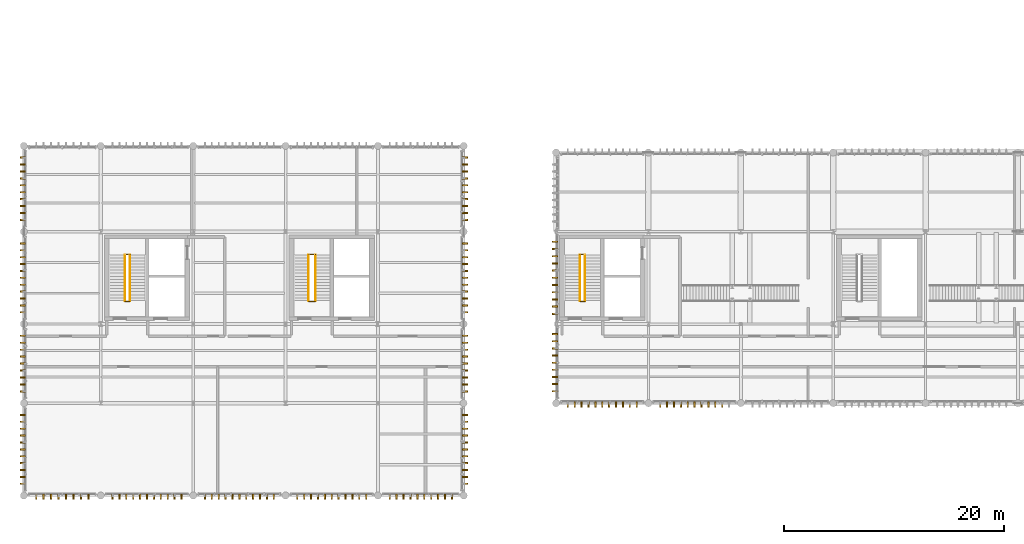
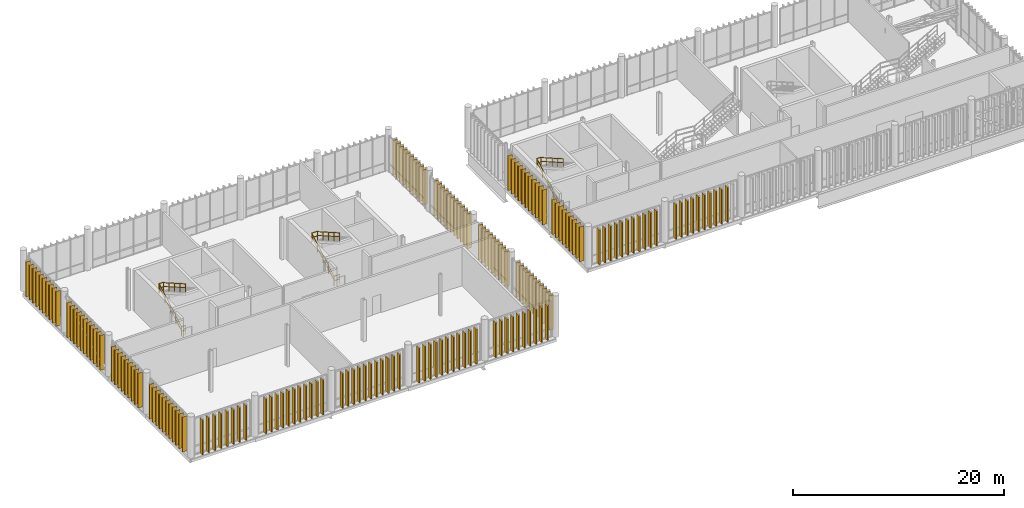
# One storey, part 80 of 86: 174 coverings, 12 railings.
"""IFC4 building model written with IfcOpenShell, lengths in metres."""

from ifc_helpers import new_model, si_unit, direction, frame, frame_2d, origin_with_axes, origin_2d_with_axis, place, context, subcontext, project, spatial, rectangle, circle, extrude, material, type_object, element, save


model = new_model("IFC4")

# Units and contexts
model_context = context("Model", 3, precision=1e-05, world=origin_with_axes(), true_north=direction((0.0, 1.0)))
body_context = subcontext(model_context, "Body", "Model", "MODEL_VIEW")
ifc_project = project(units=[si_unit("LENGTHUNIT", "METRE"), si_unit("AREAUNIT", "SQUARE_METRE"), si_unit("VOLUMEUNIT", "CUBIC_METRE"), si_unit("PLANEANGLEUNIT", "RADIAN"), si_unit("MASSUNIT", "GRAM", prefix="KILO"), si_unit("THERMODYNAMICTEMPERATUREUNIT", "KELVIN")], contexts=[model_context])

# Site, building, storey
site_placement = place(None, origin_with_axes())
site = spatial("IfcSite", under=ifc_project, at=site_placement, CompositionType="ELEMENT")
building_placement = place(site_placement, origin_with_axes())
building = spatial("IfcBuilding", under=site, at=building_placement, Name="Montbau Bow Law Courts", CompositionType="ELEMENT")
storey_placement = place(building_placement, frame((0.0, 0.0, 29.7), z_axis=(0.0, 0.0, 1.0), x_axis=(1.0, 0.0, 0.0)))
storey = spatial("IfcBuildingStorey", under=building, at=storey_placement, Name="L06", CompositionType="ELEMENT", Elevation=29.7)

# Coverings
ifc_material_1 = material(Name="Freeze-Thaw Glazed Warm Cream Ceramic Vertical Louvre", Category="masonry")
covering_type_1 = type_object("IfcCoveringType", Name="CV-LVR-CRM", PredefinedType="CLADDING", material=ifc_material_1)
for number, where, z_axis, x_axis, name in (
    (1, (56.267, 39.13, 29.7), (-1.0, 0.0, 0.0), (0.0, -1.0, 0.0), "CLV-L06-1903:cov_1948"),
    (2, (56.893, 39.13, 29.7), (-1.0, 0.0, 0.0), (0.0, -1.0, 0.0), "CLV-L06-1904:cov_1949"),
    (3, (57.52, 39.13, 29.7), (-1.0, 0.0, 0.0), (0.0, -1.0, 0.0), "CLV-L06-1905:cov_1950"),
    (4, (58.147, 39.13, 29.7), (-1.0, 0.0, 0.0), (0.0, -1.0, 0.0), "CLV-L06-1906:cov_1951"),
    (5, (58.773, 39.13, 29.7), (-1.0, 0.0, 0.0), (0.0, -1.0, 0.0), "CLV-L06-1907:cov_1952"),
    (6, (59.4, 39.13, 29.7), (-1.0, 0.0, 0.0), (0.0, -1.0, 0.0), "CLV-L06-1908:cov_1953"),
    (7, (60.027, 39.13, 29.7), (-1.0, 0.0, 0.0), (0.0, -1.0, 0.0), "CLV-L06-1909:cov_1954"),
    (8, (60.653, 39.13, 29.7), (-1.0, 0.0, 0.0), (0.0, -1.0, 0.0), "CLV-L06-1910:cov_1955"),
    (9, (61.28, 39.13, 29.7), (-1.0, 0.0, 0.0), (0.0, -1.0, 0.0), "CLV-L06-1911:cov_1956"),
    (10, (61.907, 39.13, 29.7), (-1.0, 0.0, 0.0), (0.0, -1.0, 0.0), "CLV-L06-1912:cov_1957"),
    (11, (62.533, 39.13, 29.7), (-1.0, 0.0, 0.0), (0.0, -1.0, 0.0), "CLV-L06-1913:cov_1958"),
    (12, (64.667, 39.13, 29.7), (-1.0, 0.0, 0.0), (0.0, -1.0, 0.0), "CLV-L06-1914:cov_1959"),
    (13, (65.293, 39.13, 29.7), (-1.0, 0.0, 0.0), (0.0, -1.0, 0.0), "CLV-L06-1915:cov_1960"),
    (14, (65.92, 39.13, 29.7), (-1.0, 0.0, 0.0), (0.0, -1.0, 0.0), "CLV-L06-1916:cov_1961"),
    (15, (66.547, 39.13, 29.7), (-1.0, 0.0, 0.0), (0.0, -1.0, 0.0), "CLV-L06-1917:cov_1962"),
    (16, (67.173, 39.13, 29.7), (-1.0, 0.0, 0.0), (0.0, -1.0, 0.0), "CLV-L06-1918:cov_1963"),
    (17, (67.8, 39.13, 29.7), (-1.0, 0.0, 0.0), (0.0, -1.0, 0.0), "CLV-L06-1919:cov_1964"),
    (18, (68.427, 39.13, 29.7), (-1.0, 0.0, 0.0), (0.0, -1.0, 0.0), "CLV-L06-1920:cov_1965"),
    (19, (69.053, 39.13, 29.7), (-1.0, 0.0, 0.0), (0.0, -1.0, 0.0), "CLV-L06-1921:cov_1966"),
    (20, (69.68, 39.13, 29.7), (-1.0, 0.0, 0.0), (0.0, -1.0, 0.0), "CLV-L06-1922:cov_1967"),
    (21, (70.307, 39.13, 29.7), (-1.0, 0.0, 0.0), (0.0, -1.0, 0.0), "CLV-L06-1923:cov_1968"),
    (22, (55.33, 40.089, 29.7), (0.0, 1.0, 0.0), (-1.0, 0.0, 0.0), "CLV-L06-2033:cov_2078"),
    (23, (55.33, 40.738, 29.7), (0.0, 1.0, 0.0), (-1.0, 0.0, 0.0), "CLV-L06-2034:cov_2079"),
    (24, (55.33, 41.388, 29.7), (0.0, 1.0, 0.0), (-1.0, 0.0, 0.0), "CLV-L06-2035:cov_2080"),
    (25, (55.33, 42.037, 29.7), (0.0, 1.0, 0.0), (-1.0, 0.0, 0.0), "CLV-L06-2036:cov_2081"),
    (26, (55.33, 42.686, 29.7), (0.0, 1.0, 0.0), (-1.0, 0.0, 0.0), "CLV-L06-2037:cov_2082"),
    (27, (55.33, 43.335, 29.7), (0.0, 1.0, 0.0), (-1.0, 0.0, 0.0), "CLV-L06-2038:cov_2083"),
    (28, (55.33, 43.984, 29.7), (0.0, 1.0, 0.0), (-1.0, 0.0, 0.0), "CLV-L06-2039:cov_2084"),
    (29, (55.33, 44.634, 29.7), (0.0, 1.0, 0.0), (-1.0, 0.0, 0.0), "CLV-L06-2040:cov_2085"),
    (30, (55.33, 45.283, 29.7), (0.0, 1.0, 0.0), (-1.0, 0.0, 0.0), "CLV-L06-2041:cov_2086"),
    (31, (55.33, 47.123, 29.7), (0.0, 1.0, 0.0), (-1.0, 0.0, 0.0), "CLV-L06-2042:cov_2087"),
    (32, (55.33, 47.779, 29.7), (0.0, 1.0, 0.0), (-1.0, 0.0, 0.0), "CLV-L06-2043:cov_2088"),
    (33, (55.33, 48.434, 29.7), (0.0, 1.0, 0.0), (-1.0, 0.0, 0.0), "CLV-L06-2044:cov_2089"),
    (34, (55.33, 49.089, 29.7), (0.0, 1.0, 0.0), (-1.0, 0.0, 0.0), "CLV-L06-2045:cov_2090"),
    (35, (55.33, 49.745, 29.7), (0.0, 1.0, 0.0), (-1.0, 0.0, 0.0), "CLV-L06-2046:cov_2091"),
    (36, (55.33, 50.4, 29.7), (0.0, 1.0, 0.0), (-1.0, 0.0, 0.0), "CLV-L06-2047:cov_2092"),
    (37, (55.33, 51.055, 29.7), (0.0, 1.0, 0.0), (-1.0, 0.0, 0.0), "CLV-L06-2048:cov_2093"),
    (38, (55.33, 51.711, 29.7), (0.0, 1.0, 0.0), (-1.0, 0.0, 0.0), "CLV-L06-2049:cov_2094"),
    (39, (55.33, 52.366, 29.7), (0.0, 1.0, 0.0), (-1.0, 0.0, 0.0), "CLV-L06-2050:cov_2095"),
    (40, (55.33, 53.021, 29.7), (0.0, 1.0, 0.0), (-1.0, 0.0, 0.0), "CLV-L06-2051:cov_2096"),
    (41, (55.33, 53.677, 29.7), (0.0, 1.0, 0.0), (-1.0, 0.0, 0.0), "CLV-L06-2052:cov_2097"),
):
    element("IfcCovering", number, at=place(None, frame(where, z_axis=z_axis, x_axis=x_axis)), inside=storey, type_object=covering_type_1, Name=name, PredefinedType="CLADDING", context=body_context, shape_type="SweptSolid", body=[
        extrude(rectangle(XDim=0.48, YDim=4.04, at=frame_2d((0.24, 2.02), x_axis=(1.0, 0.0))), frame((0.0, 0.0, -0.06), z_axis=(0.0, 0.0, 1.0), x_axis=(1.0, 0.0, 0.0)), (0.0, 0.0, 1.0), 0.12),
    ])
ifc_material_2 = material(Name="Freeze-Thaw Glazed Terracotta-Red Ceramic Vertical Louvre", Category="masonry")
covering_type_2 = type_object("IfcCoveringType", Name="CV-LVR-RED", PredefinedType="CLADDING", material=ifc_material_2)
for number, where, z_axis, x_axis, name in (
    (42, (7.92, 30.73, 29.7), (-1.0, 0.0, 0.0), (0.0, -1.0, 0.0), "CLV-L06-0792:cov_0837"),
    (43, (8.6, 30.73, 29.7), (-1.0, 0.0, 0.0), (0.0, -1.0, 0.0), "CLV-L06-0793:cov_0838"),
    (44, (9.28, 30.73, 29.7), (-1.0, 0.0, 0.0), (0.0, -1.0, 0.0), "CLV-L06-0794:cov_0839"),
    (45, (9.96, 30.73, 29.7), (-1.0, 0.0, 0.0), (0.0, -1.0, 0.0), "CLV-L06-0795:cov_0840"),
    (46, (10.64, 30.73, 29.7), (-1.0, 0.0, 0.0), (0.0, -1.0, 0.0), "CLV-L06-0796:cov_0841"),
    (47, (11.32, 30.73, 29.7), (-1.0, 0.0, 0.0), (0.0, -1.0, 0.0), "CLV-L06-0797:cov_0842"),
    (48, (12.0, 30.73, 29.7), (-1.0, 0.0, 0.0), (0.0, -1.0, 0.0), "CLV-L06-0798:cov_0843"),
    (49, (12.68, 30.73, 29.7), (-1.0, 0.0, 0.0), (0.0, -1.0, 0.0), "CLV-L06-0799:cov_0844"),
    (50, (14.867, 30.73, 29.7), (-1.0, 0.0, 0.0), (0.0, -1.0, 0.0), "CLV-L06-0800:cov_0845"),
    (51, (15.493, 30.73, 29.7), (-1.0, 0.0, 0.0), (0.0, -1.0, 0.0), "CLV-L06-0801:cov_0846"),
    (52, (16.12, 30.73, 29.7), (-1.0, 0.0, 0.0), (0.0, -1.0, 0.0), "CLV-L06-0802:cov_0847"),
    (53, (16.747, 30.73, 29.7), (-1.0, 0.0, 0.0), (0.0, -1.0, 0.0), "CLV-L06-0803:cov_0848"),
    (54, (17.373, 30.73, 29.7), (-1.0, 0.0, 0.0), (0.0, -1.0, 0.0), "CLV-L06-0804:cov_0849"),
    (55, (18.0, 30.73, 29.7), (-1.0, 0.0, 0.0), (0.0, -1.0, 0.0), "CLV-L06-0805:cov_0850"),
    (56, (18.627, 30.73, 29.7), (-1.0, 0.0, 0.0), (0.0, -1.0, 0.0), "CLV-L06-0806:cov_0851"),
    (57, (19.253, 30.73, 29.7), (-1.0, 0.0, 0.0), (0.0, -1.0, 0.0), "CLV-L06-0807:cov_0852"),
    (58, (19.88, 30.73, 29.7), (-1.0, 0.0, 0.0), (0.0, -1.0, 0.0), "CLV-L06-0808:cov_0853"),
    (59, (20.507, 30.73, 29.7), (-1.0, 0.0, 0.0), (0.0, -1.0, 0.0), "CLV-L06-0809:cov_0854"),
    (60, (21.133, 30.73, 29.7), (-1.0, 0.0, 0.0), (0.0, -1.0, 0.0), "CLV-L06-0810:cov_0855"),
    (61, (23.267, 30.73, 29.7), (-1.0, 0.0, 0.0), (0.0, -1.0, 0.0), "CLV-L06-0811:cov_0856"),
    (62, (23.893, 30.73, 29.7), (-1.0, 0.0, 0.0), (0.0, -1.0, 0.0), "CLV-L06-0812:cov_0857"),
    (63, (24.52, 30.73, 29.7), (-1.0, 0.0, 0.0), (0.0, -1.0, 0.0), "CLV-L06-0813:cov_0858"),
    (64, (25.147, 30.73, 29.7), (-1.0, 0.0, 0.0), (0.0, -1.0, 0.0), "CLV-L06-0814:cov_0859"),
    (65, (25.773, 30.73, 29.7), (-1.0, 0.0, 0.0), (0.0, -1.0, 0.0), "CLV-L06-0815:cov_0860"),
    (66, (26.4, 30.73, 29.7), (-1.0, 0.0, 0.0), (0.0, -1.0, 0.0), "CLV-L06-0816:cov_0861"),
    (67, (27.027, 30.73, 29.7), (-1.0, 0.0, 0.0), (0.0, -1.0, 0.0), "CLV-L06-0817:cov_0862"),
    (68, (27.653, 30.73, 29.7), (-1.0, 0.0, 0.0), (0.0, -1.0, 0.0), "CLV-L06-0818:cov_0863"),
    (69, (28.28, 30.73, 29.7), (-1.0, 0.0, 0.0), (0.0, -1.0, 0.0), "CLV-L06-0819:cov_0864"),
    (70, (28.907, 30.73, 29.7), (-1.0, 0.0, 0.0), (0.0, -1.0, 0.0), "CLV-L06-0820:cov_0865"),
    (71, (29.533, 30.73, 29.7), (-1.0, 0.0, 0.0), (0.0, -1.0, 0.0), "CLV-L06-0821:cov_0866"),
    (72, (31.667, 30.73, 29.7), (-1.0, 0.0, 0.0), (0.0, -1.0, 0.0), "CLV-L06-0822:cov_0867"),
    (73, (32.293, 30.73, 29.7), (-1.0, 0.0, 0.0), (0.0, -1.0, 0.0), "CLV-L06-0823:cov_0868"),
    (74, (32.92, 30.73, 29.7), (-1.0, 0.0, 0.0), (0.0, -1.0, 0.0), "CLV-L06-0824:cov_0869"),
    (75, (33.547, 30.73, 29.7), (-1.0, 0.0, 0.0), (0.0, -1.0, 0.0), "CLV-L06-0825:cov_0870"),
    (76, (34.173, 30.73, 29.7), (-1.0, 0.0, 0.0), (0.0, -1.0, 0.0), "CLV-L06-0826:cov_0871"),
    (77, (34.8, 30.73, 29.7), (-1.0, 0.0, 0.0), (0.0, -1.0, 0.0), "CLV-L06-0827:cov_0872"),
    (78, (35.427, 30.73, 29.7), (-1.0, 0.0, 0.0), (0.0, -1.0, 0.0), "CLV-L06-0828:cov_0873"),
    (79, (36.053, 30.73, 29.7), (-1.0, 0.0, 0.0), (0.0, -1.0, 0.0), "CLV-L06-0829:cov_0874"),
    (80, (36.68, 30.73, 29.7), (-1.0, 0.0, 0.0), (0.0, -1.0, 0.0), "CLV-L06-0830:cov_0875"),
    (81, (37.307, 30.73, 29.7), (-1.0, 0.0, 0.0), (0.0, -1.0, 0.0), "CLV-L06-0831:cov_0876"),
    (82, (37.933, 30.73, 29.7), (-1.0, 0.0, 0.0), (0.0, -1.0, 0.0), "CLV-L06-0832:cov_0877"),
    (83, (40.069, 30.73, 29.7), (-1.0, 0.0, 0.0), (0.0, -1.0, 0.0), "CLV-L06-0833:cov_0878"),
    (84, (40.698, 30.73, 29.7), (-1.0, 0.0, 0.0), (0.0, -1.0, 0.0), "CLV-L06-0834:cov_0879"),
    (85, (41.327, 30.73, 29.7), (-1.0, 0.0, 0.0), (0.0, -1.0, 0.0), "CLV-L06-0835:cov_0880"),
    (86, (41.956, 30.73, 29.7), (-1.0, 0.0, 0.0), (0.0, -1.0, 0.0), "CLV-L06-0836:cov_0881"),
    (87, (42.585, 30.73, 29.7), (-1.0, 0.0, 0.0), (0.0, -1.0, 0.0), "CLV-L06-0837:cov_0882"),
    (88, (43.215, 30.73, 29.7), (-1.0, 0.0, 0.0), (0.0, -1.0, 0.0), "CLV-L06-0838:cov_0883"),
    (89, (43.844, 30.73, 29.7), (-1.0, 0.0, 0.0), (0.0, -1.0, 0.0), "CLV-L06-0839:cov_0884"),
    (90, (44.473, 30.73, 29.7), (-1.0, 0.0, 0.0), (0.0, -1.0, 0.0), "CLV-L06-0840:cov_0885"),
    (91, (45.102, 30.73, 29.7), (-1.0, 0.0, 0.0), (0.0, -1.0, 0.0), "CLV-L06-0841:cov_0886"),
    (92, (45.731, 30.73, 29.7), (-1.0, 0.0, 0.0), (0.0, -1.0, 0.0), "CLV-L06-0842:cov_0887"),
    (93, (6.93, 31.667, 29.7), (0.0, 1.0, 0.0), (-1.0, 0.0, 0.0), "CLV-L06-0894:cov_0939"),
    (94, (6.93, 32.293, 29.7), (0.0, 1.0, 0.0), (-1.0, 0.0, 0.0), "CLV-L06-0895:cov_0940"),
    (95, (6.93, 32.92, 29.7), (0.0, 1.0, 0.0), (-1.0, 0.0, 0.0), "CLV-L06-0896:cov_0941"),
    (96, (6.93, 33.547, 29.7), (0.0, 1.0, 0.0), (-1.0, 0.0, 0.0), "CLV-L06-0897:cov_0942"),
    (97, (6.93, 34.173, 29.7), (0.0, 1.0, 0.0), (-1.0, 0.0, 0.0), "CLV-L06-0898:cov_0943"),
    (98, (6.93, 34.8, 29.7), (0.0, 1.0, 0.0), (-1.0, 0.0, 0.0), "CLV-L06-0899:cov_0944"),
    (99, (6.93, 35.427, 29.7), (0.0, 1.0, 0.0), (-1.0, 0.0, 0.0), "CLV-L06-0900:cov_0945"),
    (100, (6.93, 36.053, 29.7), (0.0, 1.0, 0.0), (-1.0, 0.0, 0.0), "CLV-L06-0901:cov_0946"),
    (101, (6.93, 36.68, 29.7), (0.0, 1.0, 0.0), (-1.0, 0.0, 0.0), "CLV-L06-0902:cov_0947"),
    (102, (6.93, 37.307, 29.7), (0.0, 1.0, 0.0), (-1.0, 0.0, 0.0), "CLV-L06-0903:cov_0948"),
    (103, (6.93, 37.933, 29.7), (0.0, 1.0, 0.0), (-1.0, 0.0, 0.0), "CLV-L06-0904:cov_0949"),
    (104, (6.93, 40.072, 29.7), (0.0, 1.0, 0.0), (-1.0, 0.0, 0.0), "CLV-L06-0905:cov_0950"),
    (105, (6.93, 40.704, 29.7), (0.0, 1.0, 0.0), (-1.0, 0.0, 0.0), "CLV-L06-0906:cov_0951"),
    (106, (6.93, 41.336, 29.7), (0.0, 1.0, 0.0), (-1.0, 0.0, 0.0), "CLV-L06-0907:cov_0952"),
    (107, (6.93, 41.968, 29.7), (0.0, 1.0, 0.0), (-1.0, 0.0, 0.0), "CLV-L06-0908:cov_0953"),
    (108, (6.93, 42.6, 29.7), (0.0, 1.0, 0.0), (-1.0, 0.0, 0.0), "CLV-L06-0909:cov_0954"),
    (109, (6.93, 43.232, 29.7), (0.0, 1.0, 0.0), (-1.0, 0.0, 0.0), "CLV-L06-0910:cov_0955"),
    (110, (6.93, 43.864, 29.7), (0.0, 1.0, 0.0), (-1.0, 0.0, 0.0), "CLV-L06-0911:cov_0956"),
    (111, (6.93, 44.496, 29.7), (0.0, 1.0, 0.0), (-1.0, 0.0, 0.0), "CLV-L06-0912:cov_0957"),
    (112, (6.93, 45.128, 29.7), (0.0, 1.0, 0.0), (-1.0, 0.0, 0.0), "CLV-L06-0913:cov_0958"),
    (113, (6.93, 47.267, 29.7), (0.0, 1.0, 0.0), (-1.0, 0.0, 0.0), "CLV-L06-0914:cov_0959"),
    (114, (6.93, 47.893, 29.7), (0.0, 1.0, 0.0), (-1.0, 0.0, 0.0), "CLV-L06-0915:cov_0960"),
    (115, (6.93, 48.52, 29.7), (0.0, 1.0, 0.0), (-1.0, 0.0, 0.0), "CLV-L06-0916:cov_0961"),
    (116, (6.93, 49.147, 29.7), (0.0, 1.0, 0.0), (-1.0, 0.0, 0.0), "CLV-L06-0917:cov_0962"),
    (117, (6.93, 49.773, 29.7), (0.0, 1.0, 0.0), (-1.0, 0.0, 0.0), "CLV-L06-0918:cov_0963"),
    (118, (6.93, 50.4, 29.7), (0.0, 1.0, 0.0), (-1.0, 0.0, 0.0), "CLV-L06-0919:cov_0964"),
    (119, (6.93, 51.027, 29.7), (0.0, 1.0, 0.0), (-1.0, 0.0, 0.0), "CLV-L06-0920:cov_0965"),
    (120, (6.93, 51.653, 29.7), (0.0, 1.0, 0.0), (-1.0, 0.0, 0.0), "CLV-L06-0921:cov_0966"),
    (121, (6.93, 52.28, 29.7), (0.0, 1.0, 0.0), (-1.0, 0.0, 0.0), "CLV-L06-0922:cov_0967"),
    (122, (6.93, 52.907, 29.7), (0.0, 1.0, 0.0), (-1.0, 0.0, 0.0), "CLV-L06-0923:cov_0968"),
    (123, (6.93, 53.533, 29.7), (0.0, 1.0, 0.0), (-1.0, 0.0, 0.0), "CLV-L06-0924:cov_0969"),
    (124, (6.93, 55.669, 29.7), (0.0, 1.0, 0.0), (-1.0, 0.0, 0.0), "CLV-L06-0925:cov_0970"),
    (125, (6.93, 56.298, 29.7), (0.0, 1.0, 0.0), (-1.0, 0.0, 0.0), "CLV-L06-0926:cov_0971"),
    (126, (6.93, 56.927, 29.7), (0.0, 1.0, 0.0), (-1.0, 0.0, 0.0), "CLV-L06-0927:cov_0972"),
    (127, (6.93, 57.556, 29.7), (0.0, 1.0, 0.0), (-1.0, 0.0, 0.0), "CLV-L06-0928:cov_0973"),
    (128, (6.93, 58.185, 29.7), (0.0, 1.0, 0.0), (-1.0, 0.0, 0.0), "CLV-L06-0929:cov_0974"),
    (129, (6.93, 58.815, 29.7), (0.0, 1.0, 0.0), (-1.0, 0.0, 0.0), "CLV-L06-0930:cov_0975"),
    (130, (6.93, 59.444, 29.7), (0.0, 1.0, 0.0), (-1.0, 0.0, 0.0), "CLV-L06-0931:cov_0976"),
    (131, (6.93, 60.073, 29.7), (0.0, 1.0, 0.0), (-1.0, 0.0, 0.0), "CLV-L06-0932:cov_0977"),
    (132, (6.93, 60.702, 29.7), (0.0, 1.0, 0.0), (-1.0, 0.0, 0.0), "CLV-L06-0933:cov_0978"),
    (133, (6.93, 61.331, 29.7), (0.0, 1.0, 0.0), (-1.0, 0.0, 0.0), "CLV-L06-0934:cov_0979"),
    (134, (46.67, 31.667, 29.7), (0.0, -1.0, 0.0), (1.0, 0.0, 0.0), "CLV-L06-0935:cov_0980"),
    (135, (46.67, 32.293, 29.7), (0.0, -1.0, 0.0), (1.0, 0.0, 0.0), "CLV-L06-0936:cov_0981"),
    (136, (46.67, 32.92, 29.7), (0.0, -1.0, 0.0), (1.0, 0.0, 0.0), "CLV-L06-0937:cov_0982"),
    (137, (46.67, 33.547, 29.7), (0.0, -1.0, 0.0), (1.0, 0.0, 0.0), "CLV-L06-0938:cov_0983"),
    (138, (46.67, 34.173, 29.7), (0.0, -1.0, 0.0), (1.0, 0.0, 0.0), "CLV-L06-0939:cov_0984"),
    (139, (46.67, 34.8, 29.7), (0.0, -1.0, 0.0), (1.0, 0.0, 0.0), "CLV-L06-0940:cov_0985"),
    (140, (46.67, 35.427, 29.7), (0.0, -1.0, 0.0), (1.0, 0.0, 0.0), "CLV-L06-0941:cov_0986"),
    (141, (46.67, 36.053, 29.7), (0.0, -1.0, 0.0), (1.0, 0.0, 0.0), "CLV-L06-0942:cov_0987"),
    (142, (46.67, 36.68, 29.7), (0.0, -1.0, 0.0), (1.0, 0.0, 0.0), "CLV-L06-0943:cov_0988"),
    (143, (46.67, 37.307, 29.7), (0.0, -1.0, 0.0), (1.0, 0.0, 0.0), "CLV-L06-0944:cov_0989"),
    (144, (46.67, 37.933, 29.7), (0.0, -1.0, 0.0), (1.0, 0.0, 0.0), "CLV-L06-0945:cov_0990"),
    (145, (46.67, 40.072, 29.7), (0.0, -1.0, 0.0), (1.0, 0.0, 0.0), "CLV-L06-0946:cov_0991"),
    (146, (46.67, 40.704, 29.7), (0.0, -1.0, 0.0), (1.0, 0.0, 0.0), "CLV-L06-0947:cov_0992"),
    (147, (46.67, 41.336, 29.7), (0.0, -1.0, 0.0), (1.0, 0.0, 0.0), "CLV-L06-0948:cov_0993"),
    (148, (46.67, 41.968, 29.7), (0.0, -1.0, 0.0), (1.0, 0.0, 0.0), "CLV-L06-0949:cov_0994"),
    (149, (46.67, 42.6, 29.7), (0.0, -1.0, 0.0), (1.0, 0.0, 0.0), "CLV-L06-0950:cov_0995"),
    (150, (46.67, 43.232, 29.7), (0.0, -1.0, 0.0), (1.0, 0.0, 0.0), "CLV-L06-0951:cov_0996"),
    (151, (46.67, 43.864, 29.7), (0.0, -1.0, 0.0), (1.0, 0.0, 0.0), "CLV-L06-0952:cov_0997"),
    (152, (46.67, 44.496, 29.7), (0.0, -1.0, 0.0), (1.0, 0.0, 0.0), "CLV-L06-0953:cov_0998"),
    (153, (46.67, 45.128, 29.7), (0.0, -1.0, 0.0), (1.0, 0.0, 0.0), "CLV-L06-0954:cov_0999"),
    (154, (46.67, 47.267, 29.7), (0.0, -1.0, 0.0), (1.0, 0.0, 0.0), "CLV-L06-0955:cov_1000"),
    (155, (46.67, 47.893, 29.7), (0.0, -1.0, 0.0), (1.0, 0.0, 0.0), "CLV-L06-0956:cov_1001"),
    (156, (46.67, 48.52, 29.7), (0.0, -1.0, 0.0), (1.0, 0.0, 0.0), "CLV-L06-0957:cov_1002"),
    (157, (46.67, 49.147, 29.7), (0.0, -1.0, 0.0), (1.0, 0.0, 0.0), "CLV-L06-0958:cov_1003"),
    (158, (46.67, 49.773, 29.7), (0.0, -1.0, 0.0), (1.0, 0.0, 0.0), "CLV-L06-0959:cov_1004"),
    (159, (46.67, 50.4, 29.7), (0.0, -1.0, 0.0), (1.0, 0.0, 0.0), "CLV-L06-0960:cov_1005"),
    (160, (46.67, 51.027, 29.7), (0.0, -1.0, 0.0), (1.0, 0.0, 0.0), "CLV-L06-0961:cov_1006"),
    (161, (46.67, 51.653, 29.7), (0.0, -1.0, 0.0), (1.0, 0.0, 0.0), "CLV-L06-0962:cov_1007"),
    (162, (46.67, 52.28, 29.7), (0.0, -1.0, 0.0), (1.0, 0.0, 0.0), "CLV-L06-0963:cov_1008"),
    (163, (46.67, 52.907, 29.7), (0.0, -1.0, 0.0), (1.0, 0.0, 0.0), "CLV-L06-0964:cov_1009"),
    (164, (46.67, 53.533, 29.7), (0.0, -1.0, 0.0), (1.0, 0.0, 0.0), "CLV-L06-0965:cov_1010"),
    (165, (46.67, 55.669, 29.7), (0.0, -1.0, 0.0), (1.0, 0.0, 0.0), "CLV-L06-0966:cov_1011"),
    (166, (46.67, 56.298, 29.7), (0.0, -1.0, 0.0), (1.0, 0.0, 0.0), "CLV-L06-0967:cov_1012"),
    (167, (46.67, 56.927, 29.7), (0.0, -1.0, 0.0), (1.0, 0.0, 0.0), "CLV-L06-0968:cov_1013"),
    (168, (46.67, 57.556, 29.7), (0.0, -1.0, 0.0), (1.0, 0.0, 0.0), "CLV-L06-0969:cov_1014"),
    (169, (46.67, 58.185, 29.7), (0.0, -1.0, 0.0), (1.0, 0.0, 0.0), "CLV-L06-0970:cov_1015"),
    (170, (46.67, 58.815, 29.7), (0.0, -1.0, 0.0), (1.0, 0.0, 0.0), "CLV-L06-0971:cov_1016"),
    (171, (46.67, 59.444, 29.7), (0.0, -1.0, 0.0), (1.0, 0.0, 0.0), "CLV-L06-0972:cov_1017"),
    (172, (46.67, 60.073, 29.7), (0.0, -1.0, 0.0), (1.0, 0.0, 0.0), "CLV-L06-0973:cov_1018"),
    (173, (46.67, 60.702, 29.7), (0.0, -1.0, 0.0), (1.0, 0.0, 0.0), "CLV-L06-0974:cov_1019"),
    (174, (46.67, 61.331, 29.7), (0.0, -1.0, 0.0), (1.0, 0.0, 0.0), "CLV-L06-0975:cov_1020"),
):
    element("IfcCovering", number, at=place(None, frame(where, z_axis=z_axis, x_axis=x_axis)), inside=storey, type_object=covering_type_2, Name=name, PredefinedType="CLADDING", context=body_context, shape_type="SweptSolid", body=[
        extrude(rectangle(XDim=0.48, YDim=4.04, at=frame_2d((0.24, 2.02), x_axis=(1.0, 0.0))), frame((0.0, 0.0, -0.06), z_axis=(0.0, 0.0, 1.0), x_axis=(1.0, 0.0, 0.0)), (0.0, 0.0, 1.0), 0.12),
    ])

# Railings
ifc_material_3 = material(Name="Architectural Bronze-Finished Steel Stair Guard", Category="steel")
railing_type_1 = type_object("IfcRailingType", Name="RL-GRD-1100", PredefinedType="GUARDRAIL", material=ifc_material_3)
railing_1_placement = place(None, origin_with_axes())
element("IfcRailing", 175, at=railing_1_placement, inside=storey, type_object=railing_type_1, Name="SG-ST-P1-L06-ML:rlg_0061", PredefinedType="GUARDRAIL", context=body_context, shape_type="SweptSolid", body=[
    extrude(circle(Radius=0.0225, at=origin_2d_with_axis()), frame((15.985, 52.53, 33.202), z_axis=(1.0, 0.0, 0.0), x_axis=(0.0, 0.0, 1.0)), (0.0, 0.0, 1.0), 0.455),
    extrude(circle(Radius=0.02025, at=origin_2d_with_axis()), frame((15.985, 52.53, 32.672), z_axis=(1.0, 0.0, 0.0), x_axis=(0.0, 0.0, 1.0)), (0.0, 0.0, 1.0), 0.455),
    extrude(circle(Radius=0.02025, at=origin_2d_with_axis()), frame((15.985, 52.53, 32.1), z_axis=(0.0, 0.0, 1.0), x_axis=(1.0, 0.0, 0.0)), (0.0, 0.0, 1.0), 1.07525),
    extrude(circle(Radius=0.02025, at=origin_2d_with_axis()), frame((16.44, 52.53, 32.1), z_axis=(0.0, 0.0, 1.0), x_axis=(1.0, 0.0, 0.0)), (0.0, 0.0, 1.0), 1.07525),
])
railing_2_placement = place(None, origin_with_axes())
element("IfcRailing", 176, at=railing_2_placement, inside=storey, type_object=railing_type_1, Name="SG-ST-P1-L06-BL:rlg_0062", PredefinedType="GUARDRAIL", context=body_context, shape_type="SweptSolid", body=[
    extrude(circle(Radius=0.0225, at=origin_2d_with_axis()), frame((15.985, 48.27, 30.802), z_axis=(1.0, 0.0, 0.0), x_axis=(0.0, 0.0, 1.0)), (0.0, 0.0, 1.0), 0.455),
    extrude(circle(Radius=0.02025, at=origin_2d_with_axis()), frame((15.985, 48.27, 30.272), z_axis=(1.0, 0.0, 0.0), x_axis=(0.0, 0.0, 1.0)), (0.0, 0.0, 1.0), 0.455),
    extrude(circle(Radius=0.02025, at=origin_2d_with_axis()), frame((15.985, 48.27, 29.7), z_axis=(0.0, 0.0, 1.0), x_axis=(1.0, 0.0, 0.0)), (0.0, 0.0, 1.0), 1.07525),
    extrude(circle(Radius=0.02025, at=origin_2d_with_axis()), frame((16.44, 48.27, 29.7), z_axis=(0.0, 0.0, 1.0), x_axis=(1.0, 0.0, 0.0)), (0.0, 0.0, 1.0), 1.07525),
])
railing_3_placement = place(None, origin_with_axes())
element("IfcRailing", 177, at=railing_3_placement, inside=storey, type_object=railing_type_1, Name="SG-ST-J1-L06-ML:rlg_0093", PredefinedType="GUARDRAIL", context=body_context, shape_type="SweptSolid", body=[
    extrude(circle(Radius=0.0225, at=origin_2d_with_axis()), frame((32.705, 52.53, 33.202), z_axis=(1.0, 0.0, 0.0), x_axis=(0.0, 0.0, 1.0)), (0.0, 0.0, 1.0), 0.615),
    extrude(circle(Radius=0.02025, at=origin_2d_with_axis()), frame((32.705, 52.53, 32.672), z_axis=(1.0, 0.0, 0.0), x_axis=(0.0, 0.0, 1.0)), (0.0, 0.0, 1.0), 0.615),
    extrude(circle(Radius=0.02025, at=origin_2d_with_axis()), frame((32.705, 52.53, 32.1), z_axis=(0.0, 0.0, 1.0), x_axis=(1.0, 0.0, 0.0)), (0.0, 0.0, 1.0), 1.07525),
    extrude(circle(Radius=0.02025, at=origin_2d_with_axis()), frame((33.32, 52.53, 32.1), z_axis=(0.0, 0.0, 1.0), x_axis=(1.0, 0.0, 0.0)), (0.0, 0.0, 1.0), 1.07525),
])
railing_4_placement = place(None, origin_with_axes())
element("IfcRailing", 178, at=railing_4_placement, inside=storey, type_object=railing_type_1, Name="SG-ST-J1-L06-BL:rlg_0094", PredefinedType="GUARDRAIL", context=body_context, shape_type="SweptSolid", body=[
    extrude(circle(Radius=0.0225, at=origin_2d_with_axis()), frame((32.705, 48.27, 30.802), z_axis=(1.0, 0.0, 0.0), x_axis=(0.0, 0.0, 1.0)), (0.0, 0.0, 1.0), 0.615),
    extrude(circle(Radius=0.02025, at=origin_2d_with_axis()), frame((32.705, 48.27, 30.272), z_axis=(1.0, 0.0, 0.0), x_axis=(0.0, 0.0, 1.0)), (0.0, 0.0, 1.0), 0.615),
    extrude(circle(Radius=0.02025, at=origin_2d_with_axis()), frame((32.705, 48.27, 29.7), z_axis=(0.0, 0.0, 1.0), x_axis=(1.0, 0.0, 0.0)), (0.0, 0.0, 1.0), 1.07525),
    extrude(circle(Radius=0.02025, at=origin_2d_with_axis()), frame((33.32, 48.27, 29.7), z_axis=(0.0, 0.0, 1.0), x_axis=(1.0, 0.0, 0.0)), (0.0, 0.0, 1.0), 1.07525),
])
railing_5_placement = place(None, origin_with_axes())
element("IfcRailing", 179, at=railing_5_placement, inside=storey, type_object=railing_type_1, Name="SG-ST-P4-L06-ML:rlg_0125", PredefinedType="GUARDRAIL", context=body_context, shape_type="SweptSolid", body=[
    extrude(circle(Radius=0.0225, at=origin_2d_with_axis()), frame((57.385, 52.53, 33.202), z_axis=(1.0, 0.0, 0.0), x_axis=(0.0, 0.0, 1.0)), (0.0, 0.0, 1.0), 0.455),
    extrude(circle(Radius=0.02025, at=origin_2d_with_axis()), frame((57.385, 52.53, 32.672), z_axis=(1.0, 0.0, 0.0), x_axis=(0.0, 0.0, 1.0)), (0.0, 0.0, 1.0), 0.455),
    extrude(circle(Radius=0.02025, at=origin_2d_with_axis()), frame((57.385, 52.53, 32.1), z_axis=(0.0, 0.0, 1.0), x_axis=(1.0, 0.0, 0.0)), (0.0, 0.0, 1.0), 1.07525),
    extrude(circle(Radius=0.02025, at=origin_2d_with_axis()), frame((57.84, 52.53, 32.1), z_axis=(0.0, 0.0, 1.0), x_axis=(1.0, 0.0, 0.0)), (0.0, 0.0, 1.0), 1.07525),
])
railing_6_placement = place(None, origin_with_axes())
element("IfcRailing", 180, at=railing_6_placement, inside=storey, type_object=railing_type_1, Name="SG-ST-P4-L06-BL:rlg_0126", PredefinedType="GUARDRAIL", context=body_context, shape_type="SweptSolid", body=[
    extrude(circle(Radius=0.0225, at=origin_2d_with_axis()), frame((57.385, 48.27, 30.802), z_axis=(1.0, 0.0, 0.0), x_axis=(0.0, 0.0, 1.0)), (0.0, 0.0, 1.0), 0.455),
    extrude(circle(Radius=0.02025, at=origin_2d_with_axis()), frame((57.385, 48.27, 30.272), z_axis=(1.0, 0.0, 0.0), x_axis=(0.0, 0.0, 1.0)), (0.0, 0.0, 1.0), 0.455),
    extrude(circle(Radius=0.02025, at=origin_2d_with_axis()), frame((57.385, 48.27, 29.7), z_axis=(0.0, 0.0, 1.0), x_axis=(1.0, 0.0, 0.0)), (0.0, 0.0, 1.0), 1.07525),
    extrude(circle(Radius=0.02025, at=origin_2d_with_axis()), frame((57.84, 48.27, 29.7), z_axis=(0.0, 0.0, 1.0), x_axis=(1.0, 0.0, 0.0)), (0.0, 0.0, 1.0), 1.07525),
])
ifc_material_4 = material(Name="White-Oak and Stainless Continuous Stair Handrail", Category="steel")
railing_type_2 = type_object("IfcRailingType", Name="RL-HND-0920", PredefinedType="HANDRAIL", material=ifc_material_4)
railing_7_placement = place(None, origin_with_axes())
element("IfcRailing", 181, at=railing_7_placement, inside=storey, type_object=railing_type_2, Name="HR-ST-P1-L06-1:rlg_0063", PredefinedType="HANDRAIL", context=body_context, shape_type="SweptSolid", body=[
    extrude(circle(Radius=0.021, at=origin_2d_with_axis()), frame((15.985, 48.3, 30.782), z_axis=(0.0, 0.868243142, 0.496138938), x_axis=(0.0, -0.496138938, 0.868243142)), (0.0, 0.0, 1.0), 4.837355),
    extrude(circle(Radius=0.0189, at=origin_2d_with_axis()), frame((15.985, 48.3, 30.3384), z_axis=(0.0, 0.868243142, 0.496138938), x_axis=(0.0, -0.496138938, 0.868243142)), (0.0, 0.0, 1.0), 4.837355),
    extrude(circle(Radius=0.0189, at=origin_2d_with_axis()), frame((15.985, 48.3, 29.86), z_axis=(0.0, 0.0, 1.0), x_axis=(1.0, 0.0, 0.0)), (0.0, 0.0, 1.0), 0.8969),
    extrude(circle(Radius=0.0189, at=origin_2d_with_axis()), frame((15.985, 49.35, 30.46), z_axis=(0.0, 0.0, 1.0), x_axis=(1.0, 0.0, 0.0)), (0.0, 0.0, 1.0), 0.8969),
    extrude(circle(Radius=0.0189, at=origin_2d_with_axis()), frame((15.985, 50.4, 31.06), z_axis=(0.0, 0.0, 1.0), x_axis=(1.0, 0.0, 0.0)), (0.0, 0.0, 1.0), 0.8969),
    extrude(circle(Radius=0.0189, at=origin_2d_with_axis()), frame((15.985, 51.45, 31.66), z_axis=(0.0, 0.0, 1.0), x_axis=(1.0, 0.0, 0.0)), (0.0, 0.0, 1.0), 0.8969),
    extrude(circle(Radius=0.0189, at=origin_2d_with_axis()), frame((15.985, 52.5, 32.26), z_axis=(0.0, 0.0, 1.0), x_axis=(1.0, 0.0, 0.0)), (0.0, 0.0, 1.0), 0.8969),
])
railing_8_placement = place(None, origin_with_axes())
element("IfcRailing", 182, at=railing_8_placement, inside=storey, type_object=railing_type_2, Name="HR-ST-P1-L06-2:rlg_0064", PredefinedType="HANDRAIL", context=body_context, shape_type="SweptSolid", body=[
    extrude(circle(Radius=0.021, at=origin_2d_with_axis()), frame((16.44, 52.5, 33.182), z_axis=(0.0, -0.868243142, 0.496138938), x_axis=(0.0, 0.496138938, 0.868243142)), (0.0, 0.0, 1.0), 4.837355),
    extrude(circle(Radius=0.0189, at=origin_2d_with_axis()), frame((16.44, 52.5, 32.7384), z_axis=(0.0, -0.868243142, 0.496138938), x_axis=(0.0, 0.496138938, 0.868243142)), (0.0, 0.0, 1.0), 4.837355),
    extrude(circle(Radius=0.0189, at=origin_2d_with_axis()), frame((16.44, 52.5, 32.26), z_axis=(0.0, 0.0, 1.0), x_axis=(1.0, 0.0, 0.0)), (0.0, 0.0, 1.0), 0.8969),
    extrude(circle(Radius=0.0189, at=origin_2d_with_axis()), frame((16.44, 51.45, 32.86), z_axis=(0.0, 0.0, 1.0), x_axis=(1.0, 0.0, 0.0)), (0.0, 0.0, 1.0), 0.8969),
    extrude(circle(Radius=0.0189, at=origin_2d_with_axis()), frame((16.44, 50.4, 33.46), z_axis=(0.0, 0.0, 1.0), x_axis=(1.0, 0.0, 0.0)), (0.0, 0.0, 1.0), 0.8969),
    extrude(circle(Radius=0.0189, at=origin_2d_with_axis()), frame((16.44, 49.35, 34.06), z_axis=(0.0, 0.0, 1.0), x_axis=(1.0, 0.0, 0.0)), (0.0, 0.0, 1.0), 0.8969),
    extrude(circle(Radius=0.0189, at=origin_2d_with_axis()), frame((16.44, 48.3, 34.66), z_axis=(0.0, 0.0, 1.0), x_axis=(1.0, 0.0, 0.0)), (0.0, 0.0, 1.0), 0.8969),
])
railing_9_placement = place(None, origin_with_axes())
element("IfcRailing", 183, at=railing_9_placement, inside=storey, type_object=railing_type_2, Name="HR-ST-J1-L06-1:rlg_0095", PredefinedType="HANDRAIL", context=body_context, shape_type="SweptSolid", body=[
    extrude(circle(Radius=0.021, at=origin_2d_with_axis()), frame((32.705, 48.3, 30.782), z_axis=(0.0, 0.868243142, 0.496138938), x_axis=(0.0, -0.496138938, 0.868243142)), (0.0, 0.0, 1.0), 4.837355),
    extrude(circle(Radius=0.0189, at=origin_2d_with_axis()), frame((32.705, 48.3, 30.3384), z_axis=(0.0, 0.868243142, 0.496138938), x_axis=(0.0, -0.496138938, 0.868243142)), (0.0, 0.0, 1.0), 4.837355),
    extrude(circle(Radius=0.0189, at=origin_2d_with_axis()), frame((32.705, 48.3, 29.86), z_axis=(0.0, 0.0, 1.0), x_axis=(1.0, 0.0, 0.0)), (0.0, 0.0, 1.0), 0.8969),
    extrude(circle(Radius=0.0189, at=origin_2d_with_axis()), frame((32.705, 49.35, 30.46), z_axis=(0.0, 0.0, 1.0), x_axis=(1.0, 0.0, 0.0)), (0.0, 0.0, 1.0), 0.8969),
    extrude(circle(Radius=0.0189, at=origin_2d_with_axis()), frame((32.705, 50.4, 31.06), z_axis=(0.0, 0.0, 1.0), x_axis=(1.0, 0.0, 0.0)), (0.0, 0.0, 1.0), 0.8969),
    extrude(circle(Radius=0.0189, at=origin_2d_with_axis()), frame((32.705, 51.45, 31.66), z_axis=(0.0, 0.0, 1.0), x_axis=(1.0, 0.0, 0.0)), (0.0, 0.0, 1.0), 0.8969),
    extrude(circle(Radius=0.0189, at=origin_2d_with_axis()), frame((32.705, 52.5, 32.26), z_axis=(0.0, 0.0, 1.0), x_axis=(1.0, 0.0, 0.0)), (0.0, 0.0, 1.0), 0.8969),
])
railing_10_placement = place(None, origin_with_axes())
element("IfcRailing", 184, at=railing_10_placement, inside=storey, type_object=railing_type_2, Name="HR-ST-J1-L06-2:rlg_0096", PredefinedType="HANDRAIL", context=body_context, shape_type="SweptSolid", body=[
    extrude(circle(Radius=0.021, at=origin_2d_with_axis()), frame((33.32, 52.5, 33.182), z_axis=(0.0, -0.868243142, 0.496138938), x_axis=(0.0, 0.496138938, 0.868243142)), (0.0, 0.0, 1.0), 4.837355),
    extrude(circle(Radius=0.0189, at=origin_2d_with_axis()), frame((33.32, 52.5, 32.7384), z_axis=(0.0, -0.868243142, 0.496138938), x_axis=(0.0, 0.496138938, 0.868243142)), (0.0, 0.0, 1.0), 4.837355),
    extrude(circle(Radius=0.0189, at=origin_2d_with_axis()), frame((33.32, 52.5, 32.26), z_axis=(0.0, 0.0, 1.0), x_axis=(1.0, 0.0, 0.0)), (0.0, 0.0, 1.0), 0.8969),
    extrude(circle(Radius=0.0189, at=origin_2d_with_axis()), frame((33.32, 51.45, 32.86), z_axis=(0.0, 0.0, 1.0), x_axis=(1.0, 0.0, 0.0)), (0.0, 0.0, 1.0), 0.8969),
    extrude(circle(Radius=0.0189, at=origin_2d_with_axis()), frame((33.32, 50.4, 33.46), z_axis=(0.0, 0.0, 1.0), x_axis=(1.0, 0.0, 0.0)), (0.0, 0.0, 1.0), 0.8969),
    extrude(circle(Radius=0.0189, at=origin_2d_with_axis()), frame((33.32, 49.35, 34.06), z_axis=(0.0, 0.0, 1.0), x_axis=(1.0, 0.0, 0.0)), (0.0, 0.0, 1.0), 0.8969),
    extrude(circle(Radius=0.0189, at=origin_2d_with_axis()), frame((33.32, 48.3, 34.66), z_axis=(0.0, 0.0, 1.0), x_axis=(1.0, 0.0, 0.0)), (0.0, 0.0, 1.0), 0.8969),
])
railing_11_placement = place(None, origin_with_axes())
element("IfcRailing", 185, at=railing_11_placement, inside=storey, type_object=railing_type_2, Name="HR-ST-P4-L06-1:rlg_0127", PredefinedType="HANDRAIL", context=body_context, shape_type="SweptSolid", body=[
    extrude(circle(Radius=0.021, at=origin_2d_with_axis()), frame((57.385, 48.3, 30.782), z_axis=(0.0, 0.868243142, 0.496138938), x_axis=(0.0, -0.496138938, 0.868243142)), (0.0, 0.0, 1.0), 4.837355),
    extrude(circle(Radius=0.0189, at=origin_2d_with_axis()), frame((57.385, 48.3, 30.3384), z_axis=(0.0, 0.868243142, 0.496138938), x_axis=(0.0, -0.496138938, 0.868243142)), (0.0, 0.0, 1.0), 4.837355),
    extrude(circle(Radius=0.0189, at=origin_2d_with_axis()), frame((57.385, 48.3, 29.86), z_axis=(0.0, 0.0, 1.0), x_axis=(1.0, 0.0, 0.0)), (0.0, 0.0, 1.0), 0.8969),
    extrude(circle(Radius=0.0189, at=origin_2d_with_axis()), frame((57.385, 49.35, 30.46), z_axis=(0.0, 0.0, 1.0), x_axis=(1.0, 0.0, 0.0)), (0.0, 0.0, 1.0), 0.8969),
    extrude(circle(Radius=0.0189, at=origin_2d_with_axis()), frame((57.385, 50.4, 31.06), z_axis=(0.0, 0.0, 1.0), x_axis=(1.0, 0.0, 0.0)), (0.0, 0.0, 1.0), 0.8969),
    extrude(circle(Radius=0.0189, at=origin_2d_with_axis()), frame((57.385, 51.45, 31.66), z_axis=(0.0, 0.0, 1.0), x_axis=(1.0, 0.0, 0.0)), (0.0, 0.0, 1.0), 0.8969),
    extrude(circle(Radius=0.0189, at=origin_2d_with_axis()), frame((57.385, 52.5, 32.26), z_axis=(0.0, 0.0, 1.0), x_axis=(1.0, 0.0, 0.0)), (0.0, 0.0, 1.0), 0.8969),
])
railing_12_placement = place(None, origin_with_axes())
element("IfcRailing", 186, at=railing_12_placement, inside=storey, type_object=railing_type_2, Name="HR-ST-P4-L06-2:rlg_0128", PredefinedType="HANDRAIL", context=body_context, shape_type="SweptSolid", body=[
    extrude(circle(Radius=0.021, at=origin_2d_with_axis()), frame((57.84, 52.5, 33.182), z_axis=(0.0, -0.868243142, 0.496138938), x_axis=(0.0, 0.496138938, 0.868243142)), (0.0, 0.0, 1.0), 4.837355),
    extrude(circle(Radius=0.0189, at=origin_2d_with_axis()), frame((57.84, 52.5, 32.7384), z_axis=(0.0, -0.868243142, 0.496138938), x_axis=(0.0, 0.496138938, 0.868243142)), (0.0, 0.0, 1.0), 4.837355),
    extrude(circle(Radius=0.0189, at=origin_2d_with_axis()), frame((57.84, 52.5, 32.26), z_axis=(0.0, 0.0, 1.0), x_axis=(1.0, 0.0, 0.0)), (0.0, 0.0, 1.0), 0.8969),
    extrude(circle(Radius=0.0189, at=origin_2d_with_axis()), frame((57.84, 51.45, 32.86), z_axis=(0.0, 0.0, 1.0), x_axis=(1.0, 0.0, 0.0)), (0.0, 0.0, 1.0), 0.8969),
    extrude(circle(Radius=0.0189, at=origin_2d_with_axis()), frame((57.84, 50.4, 33.46), z_axis=(0.0, 0.0, 1.0), x_axis=(1.0, 0.0, 0.0)), (0.0, 0.0, 1.0), 0.8969),
    extrude(circle(Radius=0.0189, at=origin_2d_with_axis()), frame((57.84, 49.35, 34.06), z_axis=(0.0, 0.0, 1.0), x_axis=(1.0, 0.0, 0.0)), (0.0, 0.0, 1.0), 0.8969),
    extrude(circle(Radius=0.0189, at=origin_2d_with_axis()), frame((57.84, 48.3, 34.66), z_axis=(0.0, 0.0, 1.0), x_axis=(1.0, 0.0, 0.0)), (0.0, 0.0, 1.0), 0.8969),
])

save(model, "model.ifc")
